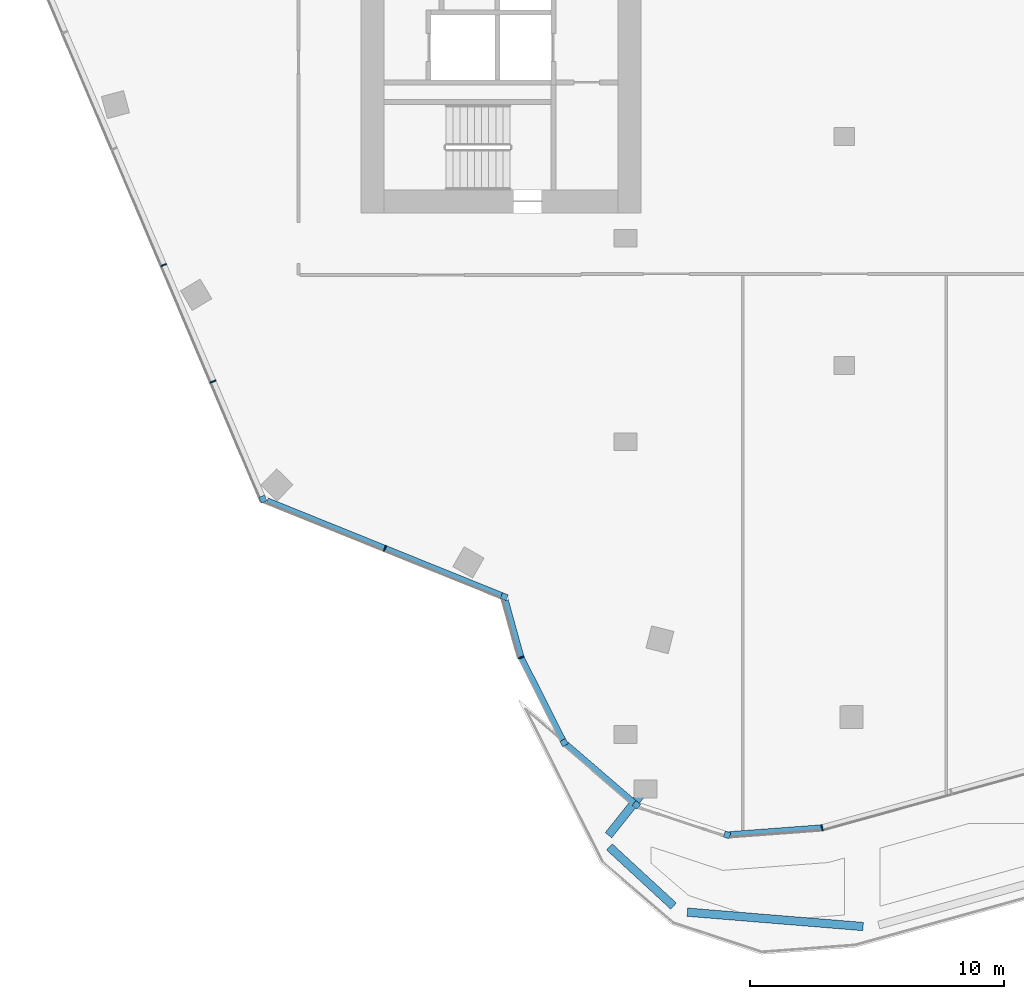
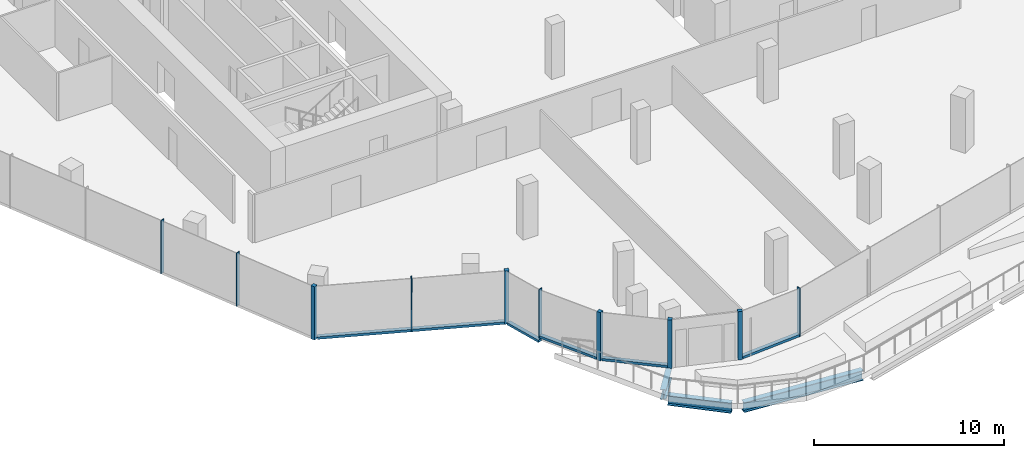
# One storey, part 2 of 16: 15 members, 3 beams, 7 elements without a shape of their own.
"""IFC4 building model written with IfcOpenShell, lengths in metres."""

from ifc_helpers import new_model, si_unit, direction, frame, origin, origin_2d, place, context, subcontext, project, spatial, rectangle, i_section, extrude, material, material_profile, profile_set, type_object, element, aggregate, save


model = new_model("IFC4")

# Units and contexts
model_context = context("Model", 3, precision=1e-05, world=origin(), true_north=direction((0.0, 1.0)))
body_context = subcontext(model_context, "Body", "Model", "MODEL_VIEW")
ifc_project = project(units=[si_unit("LENGTHUNIT", "METRE"), si_unit("AREAUNIT", "SQUARE_METRE"), si_unit("VOLUMEUNIT", "CUBIC_METRE"), si_unit("PLANEANGLEUNIT", "RADIAN"), si_unit("MASSUNIT", "GRAM", prefix="KILO")], contexts=[model_context])

# Site, building, storey
site_placement = place(None, origin())
site = spatial("IfcSite", under=ifc_project, at=site_placement, CompositionType="ELEMENT")
building_placement = place(site_placement, origin())
building = spatial("IfcBuilding", under=site, at=building_placement, Name="Orlundy Tower", CompositionType="ELEMENT")
storey_placement = place(building_placement, frame((0.0, 0.0, 292.89990234375)))
storey = spatial("IfcBuildingStorey", under=building, at=storey_placement, Name="L78", CompositionType="ELEMENT", Elevation=292.89990234375)

# Curtain wall, member
ifc_material_1 = material(Name="Aluminium bronze anodised", Category="aluminium")
curtain_wall_type = type_object("IfcCurtainWallType", Name="CW6 wall", PredefinedType="NOTDEFINED", material=ifc_material_1)
curtain_wall_1_placement = place(storey_placement, origin())
curtain_wall_1 = element("IfcCurtainWall", 1, at=curtain_wall_1_placement, inside=storey, type_object=curtain_wall_type, Name="CW6 run 09", PredefinedType="NOTDEFINED")
ifc_material_2 = material(Name="Aluminium bronze anodised", Category="aluminium")
ifc_material_profile_1 = material_profile(ifc_material_2, rectangle(XDim=0.239990234375, YDim=0.239990234375, at=origin_2d()), Name="CW6 corner post 240x240")
ifc_profile_set_1 = profile_set([ifc_material_profile_1], Name="Aluminium bronze anodised")
member_type_1 = type_object("IfcMemberType", Name="CW6 corner post 240x240", PredefinedType="MULLION", material=ifc_profile_set_1)
member_1_placement = place(storey_placement, frame((-4.60986328125, -36.447509765625, 0.0), z_axis=(0.0, 0.0, 1.0), x_axis=(-0.313231470951, -0.949676811134, 0.0)))
member_1 = element("IfcMember", 2, at=member_1_placement, type_object=member_type_1, Name="CW6 mullion 14", PredefinedType="MULLION", context=body_context, shape_type="SweptSolid", body=[
    extrude(rectangle(XDim=0.239990234375, YDim=0.239990234375, at=origin_2d()), origin(), (0.0, 0.0, 1.0), 3.10009765625),
])
aggregate(curtain_wall_1, [member_1])

curtain_wall_2_placement = place(storey_placement, origin())
curtain_wall_2 = element("IfcCurtainWall", 3, at=curtain_wall_2_placement, inside=storey, type_object=curtain_wall_type, Name="CW6 run 010", PredefinedType="NOTDEFINED")
member_2_placement = place(storey_placement, frame((-8.17529296875, -35.271484375, 0.0), z_axis=(0.0, 0.0, 1.0), x_axis=(-0.652678052104, -0.757635374241, 0.0)))
member_2 = element("IfcMember", 4, at=member_2_placement, type_object=member_type_1, Name="CW6 mullion 15", PredefinedType="MULLION", context=body_context, shape_type="SweptSolid", body=[
    extrude(rectangle(XDim=0.239990234375, YDim=0.239990234375, at=origin_2d()), origin(), (0.0, 0.0, 1.0), 3.10009765625),
])

curtain_wall_3_placement = place(storey_placement, origin())
curtain_wall_3 = element("IfcCurtainWall", 5, at=curtain_wall_3_placement, inside=storey, type_object=curtain_wall_type, Name="CW6 run 011", PredefinedType="NOTDEFINED")
member_3_placement = place(storey_placement, frame((-11.019287109375, -32.8212890625, 0.0), z_axis=(0.0, 0.0, 1.0), x_axis=(-0.892911422182, -0.45023237571, 0.0)))
member_3 = element("IfcMember", 6, at=member_3_placement, type_object=member_type_1, Name="CW6 mullion 16", PredefinedType="MULLION", context=body_context, shape_type="SweptSolid", body=[
    extrude(rectangle(XDim=0.239990234375, YDim=0.239990234375, at=origin_2d()), origin(), (0.0, 0.0, 1.0), 3.10009765625),
])

curtain_wall_4_placement = place(storey_placement, origin())
curtain_wall_4 = element("IfcCurtainWall", 7, at=curtain_wall_4_placement, inside=storey, type_object=curtain_wall_type, Name="CW6 run 013", PredefinedType="NOTDEFINED")
member_4_placement = place(storey_placement, frame((-13.367919921875, -27.083984375, -0.31982421875), z_axis=(0.0, 0.0, 1.0), x_axis=(-0.374521193474, -0.927218353808, 0.0)))
member_4 = element("IfcMember", 8, at=member_4_placement, type_object=member_type_1, Name="CW6 mullion 18", PredefinedType="MULLION", context=body_context, shape_type="SweptSolid", body=[
    extrude(rectangle(XDim=0.239990234375, YDim=0.239990234375, at=origin_2d()), origin(), (0.0, 0.0, 1.0), 3.419921875),
])

curtain_wall_5_placement = place(storey_placement, origin())
curtain_wall_5 = element("IfcCurtainWall", 9, at=curtain_wall_5_placement, inside=storey, type_object=curtain_wall_type, Name="CW6 run 014", PredefinedType="NOTDEFINED")
member_5_placement = place(storey_placement, frame((-22.85107421875, -23.253662109375, -0.31982421875), z_axis=(0.0, 0.0, 1.0), x_axis=(-0.920506804854, -0.390726531244, 0.0)))
member_5 = element("IfcMember", 10, at=member_5_placement, type_object=member_type_1, Name="CW6 mullion 20", PredefinedType="MULLION", context=body_context, shape_type="SweptSolid", body=[
    extrude(rectangle(XDim=0.239990234375, YDim=0.239990234375, at=origin_2d()), origin(), (0.0, 0.0, 1.0), 3.419921875),
])

curtain_wall_6_placement = place(storey_placement, origin())
curtain_wall_6 = element("IfcCurtainWall", 11, at=curtain_wall_6_placement, inside=storey, type_object=curtain_wall_type, Name="CW6 run 08", PredefinedType="NOTDEFINED")
ifc_material_3 = material(Name="Aluminium bronze anodised", Category="aluminium")
ifc_material_profile_2 = material_profile(ifc_material_3, rectangle(XDim=0.239990234375, YDim=0.050048828125, at=origin_2d()), Name="CW6 mullion 50x240")
ifc_profile_set_2 = profile_set([ifc_material_profile_2], Name="Aluminium bronze anodised")
member_type_2 = type_object("IfcMemberType", Name="CW6 mullion 50x240", PredefinedType="MULLION", material=ifc_profile_set_2)
member_6_placement = place(storey_placement, frame((-0.877197265625, -36.169677734375, 0.0), z_axis=(0.0, 0.0, 1.0), x_axis=(0.17153579032, -0.98517788883, 0.0)))
member_6 = element("IfcMember", 12, at=member_6_placement, type_object=member_type_2, Name="CW6 mullion 13", PredefinedType="MULLION", context=body_context, shape_type="SweptSolid", body=[
    extrude(rectangle(XDim=0.239990234375, YDim=0.050048828125, at=origin_2d()), origin(), (0.0, 0.0, 1.0), 3.10009765625),
])

curtain_wall_7_placement = place(storey_placement, origin())
curtain_wall_7 = element("IfcCurtainWall", 13, at=curtain_wall_7_placement, inside=storey, type_object=curtain_wall_type, Name="CW6 run 012", PredefinedType="NOTDEFINED")
member_7_placement = place(storey_placement, frame((-12.70458984375, -29.4794921875, 0.0), z_axis=(0.0, 0.0, 1.0), x_axis=(-0.932834409508, -0.360305376643, 0.0)))
member_7 = element("IfcMember", 14, at=member_7_placement, type_object=member_type_2, Name="CW6 mullion 17", PredefinedType="MULLION", context=body_context, shape_type="SweptSolid", body=[
    extrude(rectangle(XDim=0.239990234375, YDim=0.050048828125, at=origin_2d()), origin(), (0.0, 0.0, 1.0), 3.10009765625),
])

# Member
member_8_placement = place(storey_placement, frame((-18.058837890625, -25.189208984375, -0.31982421875), z_axis=(0.0, 0.0, 1.0), x_axis=(-0.374521193474, -0.927218353808, 0.0)))
member_8 = element("IfcMember", 15, at=member_8_placement, type_object=member_type_2, Name="CW6 mullion 19", PredefinedType="MULLION", context=body_context, shape_type="SweptSolid", body=[
    extrude(rectangle(XDim=0.239990234375, YDim=0.050048828125, at=origin_2d()), origin(), (0.0, 0.0, 1.0), 3.419921875),
])

member_9_placement = place(storey_placement, frame((-24.812744140625, -18.63232421875, -0.31982421875), z_axis=(0.0, 0.0, 1.0), x_axis=(-0.920506804854, -0.390726531244, 0.0)))
member_9 = element("IfcMember", 16, at=member_9_placement, type_object=member_type_2, Name="CW6 mullion 21", PredefinedType="MULLION", context=body_context, shape_type="SweptSolid", body=[
    extrude(rectangle(XDim=0.239990234375, YDim=0.050048828125, at=origin_2d()), origin(), (0.0, 0.0, 1.0), 3.419921875),
])

member_10_placement = place(storey_placement, frame((-26.7548828125, -14.056640625, -0.31982421875), z_axis=(0.0, 0.0, 1.0), x_axis=(-0.920506804854, -0.390726531244, 0.0)))
member_10 = element("IfcMember", 17, at=member_10_placement, type_object=member_type_2, Name="CW6 mullion 22", PredefinedType="MULLION", context=body_context, shape_type="SweptSolid", body=[
    extrude(rectangle(XDim=0.239990234375, YDim=0.050048828125, at=origin_2d()), origin(), (0.0, 0.0, 1.0), 3.419921875),
])

aggregate(curtain_wall_5, [member_5, member_9, member_10])

ifc_material_4 = material(Name="Aluminium bronze anodised", Category="aluminium")
ifc_material_profile_3 = material_profile(ifc_material_4, rectangle(XDim=0.239990234375, YDim=0.159912109375, at=origin_2d()), Name="CW6 transom 240x160")
ifc_profile_set_3 = profile_set([ifc_material_profile_3], Name="Aluminium bronze anodised")
member_type_3 = type_object("IfcMemberType", Name="CW6 transom 240x160", PredefinedType="USERDEFINED", material=ifc_profile_set_3)
member_11_placement = place(storey_placement, frame((-0.90234375, -36.171630859375, 0.080078125), z_axis=(-0.997245803003, -0.074167434858, 0.0), x_axis=(0.074167434858, -0.997245803003, 0.0)))
member_11 = element("IfcMember", 18, at=member_11_placement, type_object=member_type_3, Name="CW6 transom", ObjectType="TRANSOM", PredefinedType="USERDEFINED", context=body_context, shape_type="SweptSolid", body=[
    extrude(rectangle(XDim=0.239990234375, YDim=0.159912109375, at=origin_2d()), origin(), (0.0, 0.0, 1.0), 3.587890625),
])

aggregate(curtain_wall_6, [member_6, member_11])

member_12_placement = place(storey_placement, frame((-8.26611328125, -35.193115234375, 0.080078125), z_axis=(-0.757621411438, 0.652694259918, 0.0), x_axis=(-0.652694259918, -0.757621411438, 0.0)))
member_12 = element("IfcMember", 19, at=member_12_placement, type_object=member_type_3, Name="CW6 transom", ObjectType="TRANSOM", PredefinedType="USERDEFINED", context=body_context, shape_type="SweptSolid", body=[
    extrude(rectangle(XDim=0.239990234375, YDim=0.159912109375, at=origin_2d()), origin(), (0.0, 0.0, 1.0), 3.504150390625),
])

aggregate(curtain_wall_2, [member_2, member_12])

member_13_placement = place(storey_placement, frame((-11.073486328125, -32.714111328125, 0.080078125), z_axis=(-0.450224316548, 0.892915485804, 0.0), x_axis=(-0.892915485804, -0.450224316548, 0.0)))
member_13 = element("IfcMember", 20, at=member_13_placement, type_object=member_type_3, Name="CW6 transom", ObjectType="TRANSOM", PredefinedType="USERDEFINED", context=body_context, shape_type="SweptSolid", body=[
    extrude(rectangle(XDim=0.239990234375, YDim=0.159912109375, at=origin_2d()), origin(), (0.0, 0.0, 1.0), 3.597412109375),
])

aggregate(curtain_wall_3, [member_3, member_13])

member_14_placement = place(storey_placement, frame((-12.711181640625, -29.455322265625, -0.239990234375), z_axis=(-0.266836785507, 0.963741734024, 0.0), x_axis=(-0.963741734024, -0.266836785507, 0.0)))
member_14 = element("IfcMember", 21, at=member_14_placement, type_object=member_type_3, Name="CW6 transom", ObjectType="TRANSOM", PredefinedType="USERDEFINED", context=body_context, shape_type="SweptSolid", body=[
    extrude(rectangle(XDim=0.239990234375, YDim=0.159912109375, at=origin_2d()), origin(), (0.0, 0.0, 1.0), 2.309326171875),
])

aggregate(curtain_wall_7, [member_7, member_14])

member_15_placement = place(storey_placement, frame((-13.47900390625, -27.0390625, -0.239990234375), z_axis=(-0.927219362219, 0.374518696898, 0.0), x_axis=(-0.374518696898, -0.927219362219, 0.0)))
member_15 = element("IfcMember", 22, at=member_15_placement, type_object=member_type_3, Name="CW6 transom", ObjectType="TRANSOM", PredefinedType="USERDEFINED", context=body_context, shape_type="SweptSolid", body=[
    extrude(rectangle(XDim=0.239990234375, YDim=0.159912109375, at=origin_2d()), origin(), (0.0, 0.0, 1.0), 9.93798828125),
])

aggregate(curtain_wall_4, [member_4, member_8, member_15])

# Beams
ifc_material_5 = material(Name="Steel ASTM A992 Gr 50", Category="steel")
ifc_material_profile_4 = material_profile(ifc_material_5, i_section(OverallWidth=0.3291015625, OverallDepth=0.635009765625, WebThickness=0.017822265625, FlangeThickness=0.031005859375, at=origin_2d()), Name="W24X162")
ifc_profile_set_4 = profile_set([ifc_material_profile_4], Name="Steel ASTM A992 Gr 50")
beam_type = type_object("IfcBeamType", Name="TERRACE EDGE BEAM beam W24X162", PredefinedType="BEAM", material=ifc_profile_set_4)
beam_1_placement = place(storey_placement, frame((0.73388671875, -40.05126953125, -0.66748046875), z_axis=(-0.996674341904, 0.081487767115, 0.0), x_axis=(-0.081487767115, -0.996674341904, 0.0)))
element("IfcBeam", 23, at=beam_1_placement, inside=storey, type_object=beam_type, Name="Terrace edge beam L78-1-06", PredefinedType="BEAM", context=body_context, shape_type="SweptSolid", body=[
    extrude(i_section(OverallWidth=0.3291015625, OverallDepth=0.635009765625, WebThickness=0.017822265625, FlangeThickness=0.031005859375, at=origin_2d()), origin(), (0.0, 0.0, 1.0), 6.9267578125),
])
beam_2_placement = place(storey_placement, frame((-6.715576171875, -39.247314453125, -0.66748046875), z_axis=(-0.735005354227, 0.678061301991, 0.0), x_axis=(-0.678061301991, -0.735005354227, 0.0)))
element("IfcBeam", 24, at=beam_2_placement, inside=storey, type_object=beam_type, Name="Terrace edge beam L78-1-07", PredefinedType="BEAM", context=body_context, shape_type="SweptSolid", body=[
    extrude(i_section(OverallWidth=0.3291015625, OverallDepth=0.635009765625, WebThickness=0.017822265625, FlangeThickness=0.031005859375, at=origin_2d()), origin(), (0.0, 0.0, 1.0), 3.429931640625),
])
beam_3_placement = place(storey_placement, frame((-9.271484375, -36.4619140625, -0.66748046875), z_axis=(0.623688293631, 0.781673149333, 0.0), x_axis=(-0.781673149333, 0.623688293631, 0.0)))
element("IfcBeam", 25, at=beam_3_placement, inside=storey, type_object=beam_type, Name="Terrace edge beam L78-1-08", PredefinedType="BEAM", context=body_context, shape_type="SweptSolid", body=[
    extrude(i_section(OverallWidth=0.3291015625, OverallDepth=0.635009765625, WebThickness=0.017822265625, FlangeThickness=0.031005859375, at=origin_2d()), origin(), (0.0, 0.0, 1.0), 2.011962890625),
])

save(model, "model.ifc")
